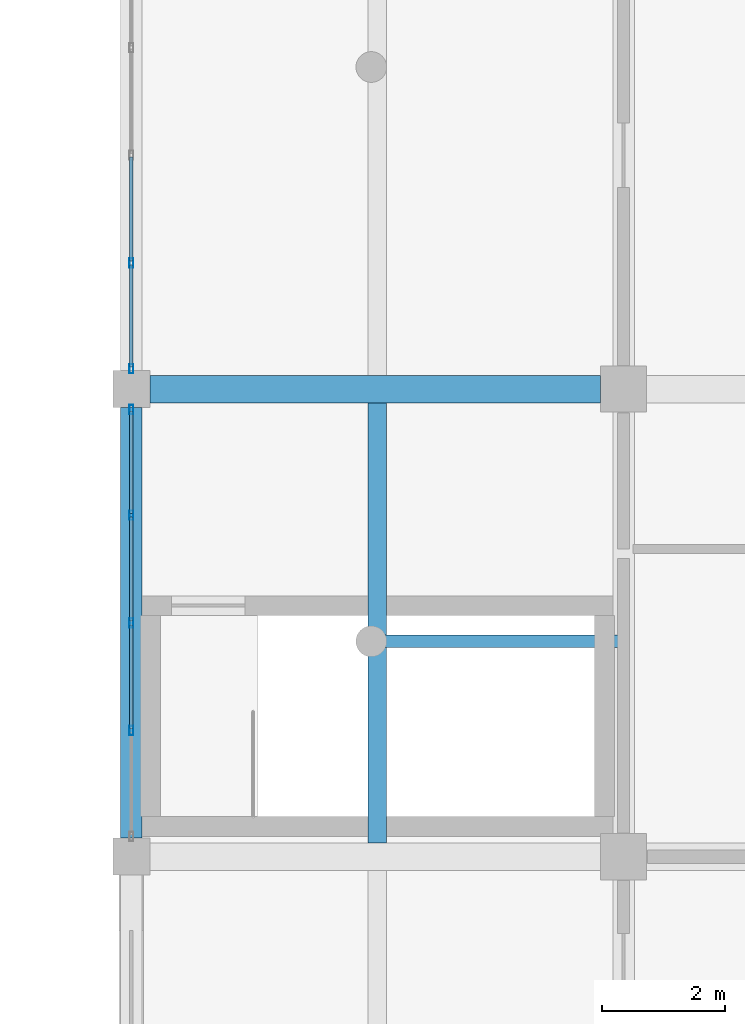
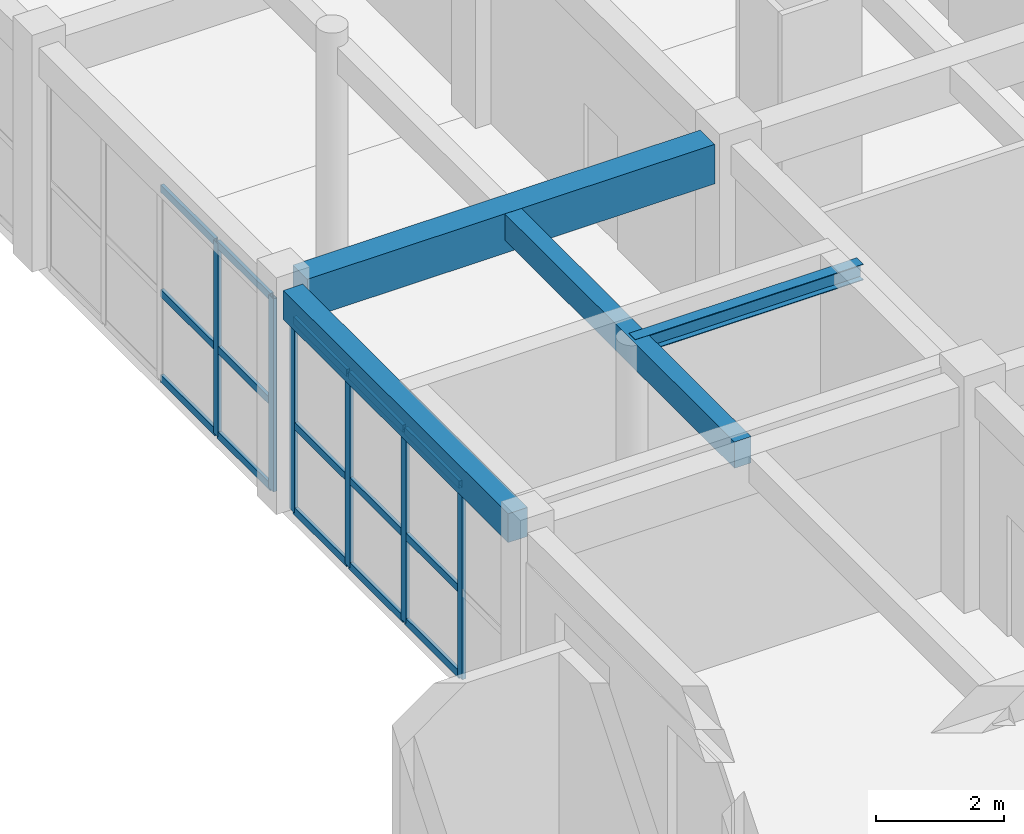
# One storey, part 14 of 79: 21 members, 4 beams, 2 elements without a shape of their own.
"""IFC4 building model written with IfcOpenShell, lengths in metres."""

from ifc_helpers import new_model, si_unit, direction, frame, origin, origin_2d, place, context, subcontext, project, spatial, rectangle, hollow_rectangle, i_section, extrude, material, material_profile, profile_set, type_object, element, aggregate, save


model = new_model("IFC4")

# Units and contexts
model_context = context("Model", 3, precision=1e-05, world=origin(), true_north=direction((0.0, 1.0)))
body_context = subcontext(model_context, "Body", "Model", "MODEL_VIEW")
ifc_project = project(units=[si_unit("LENGTHUNIT", "METRE"), si_unit("AREAUNIT", "SQUARE_METRE"), si_unit("VOLUMEUNIT", "CUBIC_METRE"), si_unit("PLANEANGLEUNIT", "RADIAN"), si_unit("MASSUNIT", "GRAM", prefix="KILO")], contexts=[model_context])

# Site, building, storey
site_placement = place(None, origin())
site = spatial("IfcSite", under=ifc_project, at=site_placement, CompositionType="ELEMENT")
building_placement = place(site_placement, origin())
building = spatial("IfcBuilding", under=site, at=building_placement, Name="Zantavel Square City Hall", CompositionType="ELEMENT")
storey_placement = place(building_placement, frame((0.0, 0.0, 10.199951171875)))
storey = spatial("IfcBuildingStorey", under=building, at=storey_placement, Name="L03", CompositionType="ELEMENT", Elevation=10.199951171875)

# Curtain wall, members
ifc_material_1 = material(Name="Anodised aluminium 6063-T6", Category="aluminium")
curtain_wall_type = type_object("IfcCurtainWallType", Name="Curtain Wall CRT 7000x3670", PredefinedType="USERDEFINED", material=ifc_material_1)
curtain_wall_1_placement = place(storey_placement, origin())
curtain_wall_1 = element("IfcCurtainWall", 1, at=curtain_wall_1_placement, inside=storey, type_object=curtain_wall_type, Name="L03 Glazed Curtain Wall CW-L03-101", ObjectType="GLAZED CURTAIN WALL", PredefinedType="USERDEFINED")
ifc_material_profile_1 = material_profile(ifc_material_1, hollow_rectangle(XDim=0.06494140625, YDim=0.14990234375, WallThickness=0.00390625, at=origin_2d()), Name="ALU 65x150x4")
ifc_profile_set_1 = profile_set([ifc_material_profile_1], Name="Anodised aluminium 6063-T6")
member_type_1 = type_object("IfcMemberType", Name="CW Mullion ALU 65x150x4", PredefinedType="MULLION", material=ifc_profile_set_1)
member_1_placement = place(storey_placement, frame((48.0, 40.050048828125, 0.0), z_axis=(0.0, 0.0, 1.0), x_axis=(-1.0, 0.0, 0.0)))
member_1 = element("IfcMember", 2, at=member_1_placement, type_object=member_type_1, Name="CW-101 mullion 2", PredefinedType="MULLION", context=body_context, shape_type="SweptSolid", body=[
    extrude(hollow_rectangle(XDim=0.06494140625, YDim=0.14990234375, WallThickness=0.00390625, at=origin_2d()), origin(), (0.0, 0.0, 1.0), 3.670166015625),
])
member_2_placement = place(storey_placement, frame((48.0, 41.800048828125, 0.0), z_axis=(0.0, 0.0, 1.0), x_axis=(-1.0, 0.0, 0.0)))
member_2 = element("IfcMember", 3, at=member_2_placement, type_object=member_type_1, Name="CW-101 mullion 3", PredefinedType="MULLION", context=body_context, shape_type="SweptSolid", body=[
    extrude(hollow_rectangle(XDim=0.06494140625, YDim=0.14990234375, WallThickness=0.00390625, at=origin_2d()), origin(), (0.0, 0.0, 1.0), 3.670166015625),
])
member_3_placement = place(storey_placement, frame((48.0, 43.550048828125, 0.0), z_axis=(0.0, 0.0, 1.0), x_axis=(-1.0, 0.0, 0.0)))
member_3 = element("IfcMember", 4, at=member_3_placement, type_object=member_type_1, Name="CW-101 mullion 4", PredefinedType="MULLION", context=body_context, shape_type="SweptSolid", body=[
    extrude(hollow_rectangle(XDim=0.06494140625, YDim=0.14990234375, WallThickness=0.00390625, at=origin_2d()), origin(), (0.0, 0.0, 1.0), 3.670166015625),
])
member_4_placement = place(storey_placement, frame((48.0, 45.27001953125, 0.0), z_axis=(0.0, 0.0, 1.0), x_axis=(-1.0, 0.0, 0.0)))
member_4 = element("IfcMember", 5, at=member_4_placement, type_object=member_type_1, Name="CW-101 mullion 5", PredefinedType="MULLION", context=body_context, shape_type="SweptSolid", body=[
    extrude(hollow_rectangle(XDim=0.06494140625, YDim=0.14990234375, WallThickness=0.00390625, at=origin_2d()), origin(), (0.0, 0.0, 1.0), 3.670166015625),
])

curtain_wall_2_placement = place(storey_placement, origin())
curtain_wall_2 = element("IfcCurtainWall", 6, at=curtain_wall_2_placement, inside=storey, type_object=curtain_wall_type, Name="L03 Glazed Curtain Wall CW-L03-102", ObjectType="GLAZED CURTAIN WALL", PredefinedType="USERDEFINED")
member_5_placement = place(storey_placement, frame((48.0, 45.929931640625, 0.0), z_axis=(0.0, 0.0, 1.0), x_axis=(-1.0, 0.0, 0.0)))
member_5 = element("IfcMember", 7, at=member_5_placement, type_object=member_type_1, Name="CW-102 mullion 1", PredefinedType="MULLION", context=body_context, shape_type="SweptSolid", body=[
    extrude(hollow_rectangle(XDim=0.06494140625, YDim=0.14990234375, WallThickness=0.00390625, at=origin_2d()), origin(), (0.0, 0.0, 1.0), 3.670166015625),
])
member_6_placement = place(storey_placement, frame((48.0, 47.64990234375, 0.0), z_axis=(0.0, 0.0, 1.0), x_axis=(-1.0, 0.0, 0.0)))
member_6 = element("IfcMember", 8, at=member_6_placement, type_object=member_type_1, Name="CW-102 mullion 2", PredefinedType="MULLION", context=body_context, shape_type="SweptSolid", body=[
    extrude(hollow_rectangle(XDim=0.06494140625, YDim=0.14990234375, WallThickness=0.00390625, at=origin_2d()), origin(), (0.0, 0.0, 1.0), 3.670166015625),
])

# Member
ifc_material_profile_2 = material_profile(ifc_material_1, hollow_rectangle(XDim=0.06005859375, YDim=0.139892578125, WallThickness=0.00390625, at=origin_2d()), Name="ALU 60x140x4")
ifc_profile_set_2 = profile_set([ifc_material_profile_2], Name="Anodised aluminium 6063-T6")
member_type_2 = type_object("IfcMemberType", Name="CW Transom ALU 60x140x4", PredefinedType="USERDEFINED", material=ifc_profile_set_2)
member_7_placement = place(storey_placement, frame((48.0, 40.080078125, 0.030029296875), z_axis=(0.0, 1.0, 0.0), x_axis=(-1.0, 0.0, 0.0)))
member_7 = element("IfcMember", 9, at=member_7_placement, type_object=member_type_2, Name="CW-101 transom 2.1", ObjectType="TRANSOM", PredefinedType="USERDEFINED", context=body_context, shape_type="SweptSolid", body=[
    extrude(hollow_rectangle(XDim=0.06005859375, YDim=0.139892578125, WallThickness=0.00390625, at=origin_2d()), origin(), (0.0, 0.0, 1.0), 1.68994140625),
])

member_8_placement = place(storey_placement, frame((48.0, 40.080078125, 1.651123046875), z_axis=(0.0, 1.0, 0.0), x_axis=(-1.0, 0.0, 0.0)))
member_8 = element("IfcMember", 10, at=member_8_placement, type_object=member_type_2, Name="CW-101 transom 2.2", ObjectType="TRANSOM", PredefinedType="USERDEFINED", context=body_context, shape_type="SweptSolid", body=[
    extrude(hollow_rectangle(XDim=0.06005859375, YDim=0.139892578125, WallThickness=0.00390625, at=origin_2d()), origin(), (0.0, 0.0, 1.0), 1.68994140625),
])

member_9_placement = place(storey_placement, frame((48.0, 40.080078125, 3.64013671875), z_axis=(0.0, 1.0, 0.0), x_axis=(-1.0, 0.0, 0.0)))
member_9 = element("IfcMember", 11, at=member_9_placement, type_object=member_type_2, Name="CW-101 transom 2.3", ObjectType="TRANSOM", PredefinedType="USERDEFINED", context=body_context, shape_type="SweptSolid", body=[
    extrude(hollow_rectangle(XDim=0.06005859375, YDim=0.139892578125, WallThickness=0.00390625, at=origin_2d()), origin(), (0.0, 0.0, 1.0), 1.68994140625),
])

member_10_placement = place(storey_placement, frame((48.0, 41.830078125, 0.030029296875), z_axis=(0.0, 1.0, 0.0), x_axis=(-1.0, 0.0, 0.0)))
member_10 = element("IfcMember", 12, at=member_10_placement, type_object=member_type_2, Name="CW-101 transom 3.1", ObjectType="TRANSOM", PredefinedType="USERDEFINED", context=body_context, shape_type="SweptSolid", body=[
    extrude(hollow_rectangle(XDim=0.06005859375, YDim=0.139892578125, WallThickness=0.00390625, at=origin_2d()), origin(), (0.0, 0.0, 1.0), 1.68994140625),
])

member_11_placement = place(storey_placement, frame((48.0, 41.830078125, 1.651123046875), z_axis=(0.0, 1.0, 0.0), x_axis=(-1.0, 0.0, 0.0)))
member_11 = element("IfcMember", 13, at=member_11_placement, type_object=member_type_2, Name="CW-101 transom 3.2", ObjectType="TRANSOM", PredefinedType="USERDEFINED", context=body_context, shape_type="SweptSolid", body=[
    extrude(hollow_rectangle(XDim=0.06005859375, YDim=0.139892578125, WallThickness=0.00390625, at=origin_2d()), origin(), (0.0, 0.0, 1.0), 1.68994140625),
])

member_12_placement = place(storey_placement, frame((48.0, 41.830078125, 3.64013671875), z_axis=(0.0, 1.0, 0.0), x_axis=(-1.0, 0.0, 0.0)))
member_12 = element("IfcMember", 14, at=member_12_placement, type_object=member_type_2, Name="CW-101 transom 3.3", ObjectType="TRANSOM", PredefinedType="USERDEFINED", context=body_context, shape_type="SweptSolid", body=[
    extrude(hollow_rectangle(XDim=0.06005859375, YDim=0.139892578125, WallThickness=0.00390625, at=origin_2d()), origin(), (0.0, 0.0, 1.0), 1.68994140625),
])

member_13_placement = place(storey_placement, frame((48.0, 43.580078125, 0.030029296875), z_axis=(0.0, 1.0, 0.0), x_axis=(-1.0, 0.0, 0.0)))
member_13 = element("IfcMember", 15, at=member_13_placement, type_object=member_type_2, Name="CW-101 transom 4.1", ObjectType="TRANSOM", PredefinedType="USERDEFINED", context=body_context, shape_type="SweptSolid", body=[
    extrude(hollow_rectangle(XDim=0.06005859375, YDim=0.139892578125, WallThickness=0.00390625, at=origin_2d()), origin(), (0.0, 0.0, 1.0), 1.659912109375),
])

member_14_placement = place(storey_placement, frame((48.0, 43.580078125, 1.651123046875), z_axis=(0.0, 1.0, 0.0), x_axis=(-1.0, 0.0, 0.0)))
member_14 = element("IfcMember", 16, at=member_14_placement, type_object=member_type_2, Name="CW-101 transom 4.2", ObjectType="TRANSOM", PredefinedType="USERDEFINED", context=body_context, shape_type="SweptSolid", body=[
    extrude(hollow_rectangle(XDim=0.06005859375, YDim=0.139892578125, WallThickness=0.00390625, at=origin_2d()), origin(), (0.0, 0.0, 1.0), 1.659912109375),
])

member_15_placement = place(storey_placement, frame((48.0, 43.580078125, 3.64013671875), z_axis=(0.0, 1.0, 0.0), x_axis=(-1.0, 0.0, 0.0)))
member_15 = element("IfcMember", 17, at=member_15_placement, type_object=member_type_2, Name="CW-101 transom 4.3", ObjectType="TRANSOM", PredefinedType="USERDEFINED", context=body_context, shape_type="SweptSolid", body=[
    extrude(hollow_rectangle(XDim=0.06005859375, YDim=0.139892578125, WallThickness=0.00390625, at=origin_2d()), origin(), (0.0, 0.0, 1.0), 1.659912109375),
])

aggregate(curtain_wall_1, [member_1, member_2, member_3, member_4, member_7, member_8, member_9, member_10, member_11, member_12, member_13, member_14, member_15])

member_16_placement = place(storey_placement, frame((48.0, 45.9599609375, 0.030029296875), z_axis=(0.0, 1.0, 0.0), x_axis=(-1.0, 0.0, 0.0)))
member_16 = element("IfcMember", 18, at=member_16_placement, type_object=member_type_2, Name="CW-102 transom 1.1", ObjectType="TRANSOM", PredefinedType="USERDEFINED", context=body_context, shape_type="SweptSolid", body=[
    extrude(hollow_rectangle(XDim=0.06005859375, YDim=0.139892578125, WallThickness=0.00390625, at=origin_2d()), origin(), (0.0, 0.0, 1.0), 1.66015625),
])

member_17_placement = place(storey_placement, frame((48.0, 45.9599609375, 1.651123046875), z_axis=(0.0, 1.0, 0.0), x_axis=(-1.0, 0.0, 0.0)))
member_17 = element("IfcMember", 19, at=member_17_placement, type_object=member_type_2, Name="CW-102 transom 1.2", ObjectType="TRANSOM", PredefinedType="USERDEFINED", context=body_context, shape_type="SweptSolid", body=[
    extrude(hollow_rectangle(XDim=0.06005859375, YDim=0.139892578125, WallThickness=0.00390625, at=origin_2d()), origin(), (0.0, 0.0, 1.0), 1.66015625),
])

member_18_placement = place(storey_placement, frame((48.0, 45.9599609375, 3.64013671875), z_axis=(0.0, 1.0, 0.0), x_axis=(-1.0, 0.0, 0.0)))
member_18 = element("IfcMember", 20, at=member_18_placement, type_object=member_type_2, Name="CW-102 transom 1.3", ObjectType="TRANSOM", PredefinedType="USERDEFINED", context=body_context, shape_type="SweptSolid", body=[
    extrude(hollow_rectangle(XDim=0.06005859375, YDim=0.139892578125, WallThickness=0.00390625, at=origin_2d()), origin(), (0.0, 0.0, 1.0), 1.66015625),
])

member_19_placement = place(storey_placement, frame((48.0, 47.679931640625, 0.030029296875), z_axis=(0.0, 1.0, 0.0), x_axis=(-1.0, 0.0, 0.0)))
member_19 = element("IfcMember", 21, at=member_19_placement, type_object=member_type_2, Name="CW-102 transom 2.1", ObjectType="TRANSOM", PredefinedType="USERDEFINED", context=body_context, shape_type="SweptSolid", body=[
    extrude(hollow_rectangle(XDim=0.06005859375, YDim=0.139892578125, WallThickness=0.00390625, at=origin_2d()), origin(), (0.0, 0.0, 1.0), 1.690185546875),
])

member_20_placement = place(storey_placement, frame((48.0, 47.679931640625, 1.651123046875), z_axis=(0.0, 1.0, 0.0), x_axis=(-1.0, 0.0, 0.0)))
member_20 = element("IfcMember", 22, at=member_20_placement, type_object=member_type_2, Name="CW-102 transom 2.2", ObjectType="TRANSOM", PredefinedType="USERDEFINED", context=body_context, shape_type="SweptSolid", body=[
    extrude(hollow_rectangle(XDim=0.06005859375, YDim=0.139892578125, WallThickness=0.00390625, at=origin_2d()), origin(), (0.0, 0.0, 1.0), 1.690185546875),
])

member_21_placement = place(storey_placement, frame((48.0, 47.679931640625, 3.64013671875), z_axis=(0.0, 1.0, 0.0), x_axis=(-1.0, 0.0, 0.0)))
member_21 = element("IfcMember", 23, at=member_21_placement, type_object=member_type_2, Name="CW-102 transom 2.3", ObjectType="TRANSOM", PredefinedType="USERDEFINED", context=body_context, shape_type="SweptSolid", body=[
    extrude(hollow_rectangle(XDim=0.06005859375, YDim=0.139892578125, WallThickness=0.00390625, at=origin_2d()), origin(), (0.0, 0.0, 1.0), 1.690185546875),
])

aggregate(curtain_wall_2, [member_5, member_6, member_16, member_17, member_18, member_19, member_20, member_21])

# Beams
ifc_material_2 = material(Name="Concrete C35/45", Category="concrete")
ifc_material_profile_3 = material_profile(ifc_material_2, rectangle(XDim=0.300048828125, YDim=0.5, at=origin_2d()), Name="RC 300x500")
ifc_profile_set_3 = profile_set([ifc_material_profile_3], Name="Concrete C35/45")
beam_type_1 = type_object("IfcBeamType", Name="Floor Joist RC 300x500 C35/45", PredefinedType="JOIST", material=ifc_profile_set_3)
beam_1_placement = place(storey_placement, frame((52.0, 38.22509765625, 3.969970703125), z_axis=(0.0, 1.0, 0.0), x_axis=(-1.0, 0.0, 0.0)))
element("IfcBeam", 24, at=beam_1_placement, inside=storey, type_object=beam_type_1, Name="L03 Floor Joist JST-L03-0520-0380", PredefinedType="JOIST", context=body_context, shape_type="SweptSolid", body=[
    extrude(rectangle(XDim=0.300048828125, YDim=0.5, at=origin_2d()), origin(), (0.0, 0.0, 1.0), 7.14990234375),
])
ifc_material_profile_4 = material_profile(ifc_material_2, rectangle(XDim=0.449951171875, YDim=0.75, at=origin_2d()), Name="RC 450x750")
ifc_profile_set_4 = profile_set([ifc_material_profile_4], Name="Concrete C35/45")
beam_type_2 = type_object("IfcBeamType", Name="Primary Girder RC 450x750 C35/45", PredefinedType="BEAM", material=ifc_profile_set_4)
beam_2_placement = place(storey_placement, frame((48.300048828125, 45.60009765625, 3.844970703125), z_axis=(1.0, 0.0, 0.0), x_axis=(0.0, 1.0, 0.0)))
element("IfcBeam", 25, at=beam_2_placement, inside=storey, type_object=beam_type_2, Name="L03 Girder BMX-L03-0480-0456", PredefinedType="BEAM", context=body_context, shape_type="SweptSolid", body=[
    extrude(rectangle(XDim=0.449951171875, YDim=0.75, at=origin_2d()), origin(), (0.0, 0.0, 1.0), 7.324951171875),
])
ifc_material_profile_5 = material_profile(ifc_material_2, rectangle(XDim=0.35009765625, YDim=0.550048828125, at=origin_2d()), Name="RC 350x550")
ifc_profile_set_5 = profile_set([ifc_material_profile_5], Name="Concrete C35/45")
beam_type_3 = type_object("IfcBeamType", Name="Secondary Beam RC 350x550 C35/45", PredefinedType="BEAM", material=ifc_profile_set_5)
beam_3_placement = place(storey_placement, frame((48.0, 38.300048828125, 3.945068359375), z_axis=(0.0, 1.0, 0.0), x_axis=(-1.0, 0.0, 0.0)))
element("IfcBeam", 26, at=beam_3_placement, inside=storey, type_object=beam_type_3, Name="L03 Beam BMY-L03-0480-0380", PredefinedType="BEAM", context=body_context, shape_type="SweptSolid", body=[
    extrude(rectangle(XDim=0.35009765625, YDim=0.550048828125, at=origin_2d()), origin(), (0.0, 0.0, 1.0), 7.0),
])
ifc_material_3 = material(Name="Steel ASTM A992 Grade 50", Category="steel")
ifc_material_profile_6 = material_profile(ifc_material_3, i_section(OverallWidth=0.202880859375, OverallDepth=0.302978515625, WebThickness=0.007568359375, FlangeThickness=0.01318359375, at=origin_2d()), Name="W310x60")
ifc_profile_set_6 = profile_set([ifc_material_profile_6], Name="Steel ASTM A992 Grade 50")
beam_type_4 = type_object("IfcBeamType", Name="Tray Edge Steel Beam W310x60", PredefinedType="BEAM", material=ifc_profile_set_6)
beam_4_placement = place(storey_placement, frame((56.0, 41.5, 4.071533203125), z_axis=(-1.0, 0.0, 0.0), x_axis=(0.0, -1.0, 0.0)))
element("IfcBeam", 27, at=beam_4_placement, inside=storey, type_object=beam_type_4, Name="ST-TR5 L04 Landing Support Beam", PredefinedType="BEAM", context=body_context, shape_type="SweptSolid", body=[
    extrude(i_section(OverallWidth=0.202880859375, OverallDepth=0.302978515625, WebThickness=0.007568359375, FlangeThickness=0.01318359375, at=origin_2d()), origin(), (0.0, 0.0, 1.0), 4.10009765625),
])

save(model, "model.ifc")
